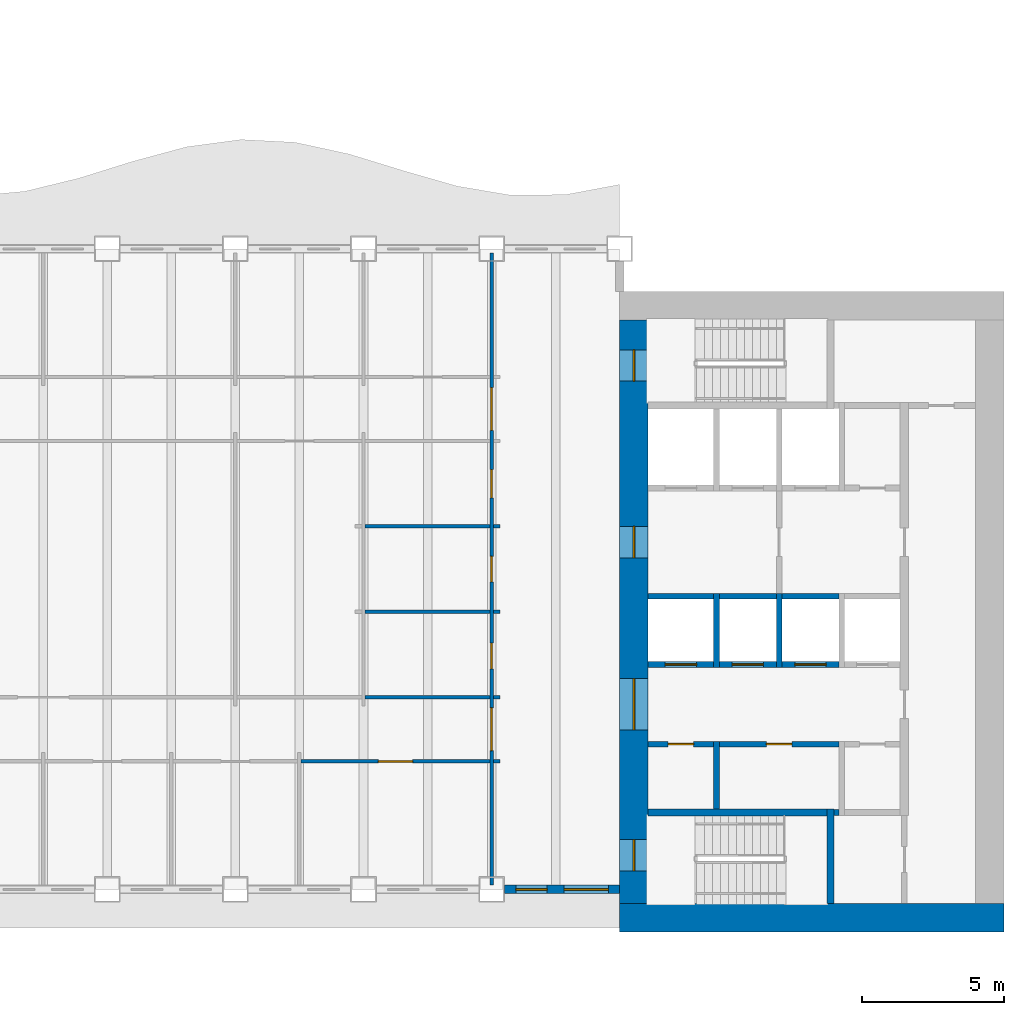
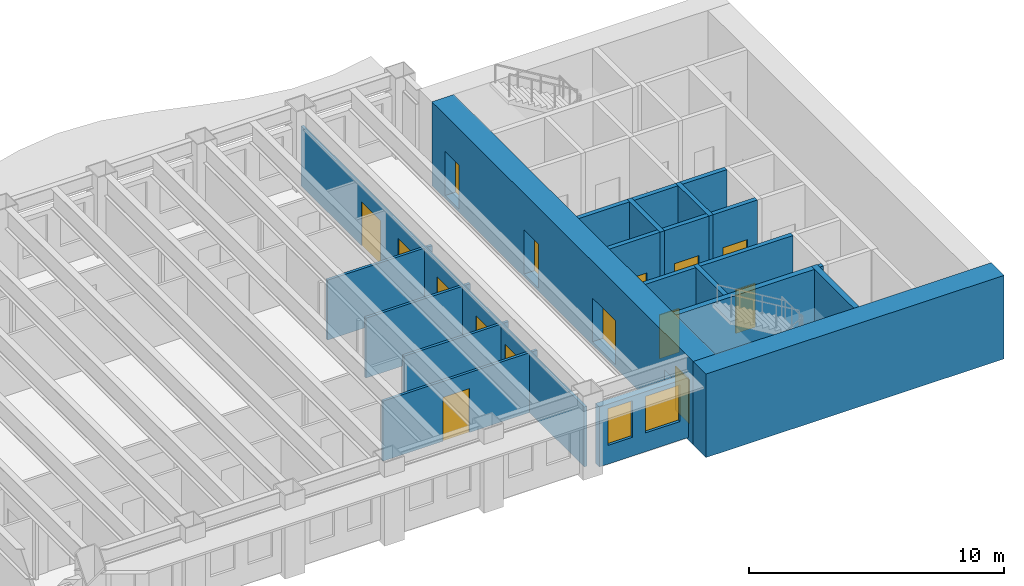
# One storey, part 6 of 16: 26 walls, 15 doors, 2 windows, 17 openings.
"""IFC4 building model written with IfcOpenShell, lengths in metres."""

import ifcopenshell
import ifcopenshell.guid

model = None  # the IFC model being written
_history = None  # IfcOwnerHistory: only IFC2X3 demands one
_inside = {}  # id of a spatial element -> (the spatial element, [elements in it])
_under = {}  # id of a project, library or spatial element -> (it, [spatial elements below it])
_declared = {}  # id of a project -> (the project, [libraries it declares])
_typed = {}  # id of a type object -> (the type object, [elements of that type])
_made_of = {}  # id of a material, layer set ... -> (it, [elements and type objects made of it])


def new_model(schema):
    """Start an empty IFC model of exactly this schema.

    Asked for "IFC4X3", IfcOpenShell would pick the latest addendum, in which some entities
    have other attributes; the version numbers below select the first issue.
    IFC2X3 requires an IfcOwnerHistory on every rooted entity: one is made here for all.
    """
    global model, _history
    if schema == "IFC4X3":
        model = ifcopenshell.file(schema_version=(4, 3, 0, 0))
    else:
        model = ifcopenshell.file(schema=schema)
    _inside.clear()
    _under.clear()
    _declared.clear()
    _typed.clear()
    _made_of.clear()
    _history = None
    if model.schema == "IFC2X3":
        org = make("IfcOrganization", Name="unknown")
        user = make(
            "IfcPersonAndOrganization",
            ThePerson=make("IfcPerson", FamilyName="unknown"),
            TheOrganization=org,
        )
        app = make(
            "IfcApplication",
            ApplicationDeveloper=org,
            Version="unknown",
            ApplicationFullName="unknown",
            ApplicationIdentifier="unknown",
        )
        _history = make(
            "IfcOwnerHistory",
            OwningUser=user,
            OwningApplication=app,
            ChangeAction="ADDED",
            CreationDate=0,
        )
    return model


def make(cls, **values):
    """One entity of the class cls with the attributes given. An attribute that is None is left unset."""
    return model.create_entity(
        cls, **{name: value for name, value in values.items() if value is not None}
    )


def rooted(cls, **values):
    """An entity with a GlobalId (a new one), such as an element, a storey or a relation."""
    return make(cls, GlobalId=ifcopenshell.guid.new(), OwnerHistory=_history, **values)


def si_unit(unit_type, name, prefix=None):
    """IfcSIUnit, for example si_unit("LENGTHUNIT", "METRE", prefix="MILLI")."""
    return make("IfcSIUnit", UnitType=unit_type, Prefix=prefix, Name=name)


def assignment(units):
    """IfcUnitAssignment: the units of a project."""
    return None if units is None else make("IfcUnitAssignment", Units=units)


def point(xyz):
    """IfcCartesianPoint."""
    return None if xyz is None else make("IfcCartesianPoint", Coordinates=xyz)


def direction(xyz):
    """IfcDirection."""
    return None if xyz is None else make("IfcDirection", DirectionRatios=xyz)


def frame(location, z_axis=None, x_axis=None):
    """IfcAxis2Placement3D, a coordinate frame: its origin and axes. An axis left out is left unset."""
    return make(
        "IfcAxis2Placement3D",
        Location=point(location),
        Axis=direction(z_axis),
        RefDirection=direction(x_axis),
    )


def frame_2d(location, x_axis=None):
    """IfcAxis2Placement2D, a coordinate frame in the plane: its origin and x axis."""
    return make(
        "IfcAxis2Placement2D", Location=point(location), RefDirection=direction(x_axis)
    )


def origin():
    """The frame at (0, 0, 0) with its axes left unset."""
    return frame((0.0, 0.0, 0.0))


def place(relative_to, where):
    """IfcLocalPlacement: puts the frame where relative to a parent placement (None: the world)."""
    return make(
        "IfcLocalPlacement", PlacementRelTo=relative_to, RelativePlacement=where
    )


def context(
    kind, dimensions, precision=None, world=None, true_north=None, identifier=None
):
    """IfcGeometricRepresentationContext, for example the 3D "Model" context."""
    return make(
        "IfcGeometricRepresentationContext",
        ContextIdentifier=identifier,
        ContextType=kind,
        CoordinateSpaceDimension=dimensions,
        Precision=precision,
        WorldCoordinateSystem=world,
        TrueNorth=true_north,
    )


def subcontext(parent, identifier, kind, view, scale=None):
    """IfcGeometricRepresentationSubContext, for example "Body" below "Model"."""
    return make(
        "IfcGeometricRepresentationSubContext",
        ContextIdentifier=identifier,
        ContextType=kind,
        ParentContext=parent,
        TargetScale=scale,
        TargetView=view,
    )


def project(units=None, contexts=None):
    """IfcProject with its units and contexts."""
    return rooted(
        "IfcProject",
        Name="project",
        RepresentationContexts=contexts,
        UnitsInContext=assignment(units),
    )


def spatial(cls, under=None, at=None, **own):
    """A site, building, storey or space (cls), placed at a placement, below another one or the project."""
    s = rooted(cls, ObjectPlacement=at, **own)
    if under is not None:
        _under.setdefault(under.id(), (under, []))[1].append(s)
    return s


def profile(cls, at=None, kind="AREA", **sizes):
    """A parametric profile (cls). Its sizes go by their IFC names, for example OverallWidth=200.0."""
    return make(cls, ProfileType=kind, Position=at, **sizes)


def rectangle(**sizes):
    """IfcRectangleProfileDef."""
    return profile("IfcRectangleProfileDef", **sizes)


def extrude(swept, where, along, depth):
    """IfcExtrudedAreaSolid: the profile swept, set in the frame where, extruded along a direction by depth."""
    return make(
        "IfcExtrudedAreaSolid",
        SweptArea=swept,
        Position=where,
        ExtrudedDirection=direction(along),
        Depth=depth,
    )


def shape(context_of_items, identifier, shape_type, items):
    """IfcShapeRepresentation: the items that make up one representation, for example the "Body"."""
    return make(
        "IfcShapeRepresentation",
        ContextOfItems=context_of_items,
        RepresentationIdentifier=identifier,
        RepresentationType=shape_type,
        Items=items,
    )


def material(Name=None, Category=None):
    """IfcMaterial."""
    return make("IfcMaterial", Name=Name, Category=Category)


def layer(
    of_material, thickness, ventilated=None, Name=None, Category=None, Priority=None
):
    """IfcMaterialLayer: one layer of a wall or slab, of a material (None: an air gap)."""
    return make(
        "IfcMaterialLayer",
        Material=of_material,
        LayerThickness=thickness,
        IsVentilated=ventilated,
        Name=Name,
        Category=Category,
        Priority=Priority,
    )


def layer_set(layers, Name=None):
    """IfcMaterialLayerSet."""
    return make("IfcMaterialLayerSet", MaterialLayers=layers, LayerSetName=Name)


def made_of(thing, what):
    """Note that an element or type object is made of a material, layer set ...; save() writes the relation."""
    if what is not None:
        _made_of.setdefault(what.id(), (what, []))[1].append(thing)
    return thing


def type_object(cls, material=None, **own):
    """A type object (cls), such as IfcWallType, which elements share."""
    return made_of(rooted(cls, **own), material)


def element(
    cls,
    number,
    at=None,
    inside=None,
    cuts=None,
    type_object=None,
    material=None,
    context=None,
    identifier="Body",
    shape_type=None,
    held_by="IfcProductDefinitionShape",
    body=None,
    shapes=None,
    **own,
):
    """One element of the class cls, such as IfcWall. Its Tag is "e" and its number.

    at: its placement. inside: the storey or other place that contains it. cuts: it is an
    opening in that element (IfcRelVoidsElement). A single representation is given by context,
    identifier, shape_type and body (its items); several are given by shapes. held_by: the class
    of the entity that holds the representations. save() writes the other relations.
    """
    e = rooted(cls, Tag="e%d" % number, ObjectPlacement=at, **own)
    if body is not None:
        shapes = [shape(context, identifier, shape_type, body)]
    if shapes is not None:
        e.Representation = make(held_by, Representations=shapes)
    if inside is not None:
        _inside.setdefault(inside.id(), (inside, []))[1].append(e)
    if cuts is not None:
        rooted(
            "IfcRelVoidsElement", RelatingBuildingElement=cuts, RelatedOpeningElement=e
        )
    if type_object is not None:
        _typed.setdefault(type_object.id(), (type_object, []))[1].append(e)
    return made_of(e, material)


def fill(opening, filler):
    """IfcRelFillsElement: the door or window that sits in an opening."""
    return rooted(
        "IfcRelFillsElement",
        RelatingOpeningElement=opening,
        RelatedBuildingElement=filler,
    )


def aggregate(whole, parts):
    """IfcRelAggregates: a whole, such as a stair, and the parts it consists of."""
    return rooted("IfcRelAggregates", RelatingObject=whole, RelatedObjects=parts)


def save(model, path):
    """Write the relations noted so far, then the file.

    IfcRelAggregates (storeys below a building ...), IfcRelContainedInSpatialStructure (elements
    in a storey), IfcRelDefinesByType, IfcRelAssociatesMaterial and IfcRelDeclares: one each for
    every whole, place, type object, material and project.
    """
    for whole, parts in _under.values():
        aggregate(whole, parts)
    for where, things in _inside.values():
        rooted(
            "IfcRelContainedInSpatialStructure",
            RelatedElements=things,
            RelatingStructure=where,
        )
    for kind, things in _typed.values():
        rooted("IfcRelDefinesByType", RelatedObjects=things, RelatingType=kind)
    for what, things in _made_of.values():
        rooted("IfcRelAssociatesMaterial", RelatedObjects=things, RelatingMaterial=what)
    for by, libraries in _declared.values():
        rooted("IfcRelDeclares", RelatingContext=by, RelatedDefinitions=libraries)
    model.write(path)


model = new_model("IFC4")

# Units and contexts
model_context = context("Model", 3, precision=1e-05, world=origin(), true_north=direction((0.0, 1.0)))
body_context = subcontext(model_context, "Body", "Model", "MODEL_VIEW")
ifc_project = project(units=[si_unit("LENGTHUNIT", "METRE"), si_unit("AREAUNIT", "SQUARE_METRE"), si_unit("VOLUMEUNIT", "CUBIC_METRE"), si_unit("PLANEANGLEUNIT", "RADIAN"), si_unit("MASSUNIT", "GRAM", prefix="KILO")], contexts=[model_context])

# Site, building, storey
site_placement = place(None, origin())
site = spatial("IfcSite", under=ifc_project, at=site_placement, CompositionType="ELEMENT")
building_placement = place(site_placement, origin())
building = spatial("IfcBuilding", under=site, at=building_placement, Name="Sennacour Bend Tower", CompositionType="ELEMENT")
storey_placement = place(building_placement, frame((0.0, 0.0, 167.0)))
storey = spatial("IfcBuildingStorey", under=building, at=storey_placement, Name="L38", CompositionType="ELEMENT", Elevation=167.0)

# Wall
ifc_material_1 = material(Name="Concrete C60/75", Category="concrete")
ifc_layer_1 = layer(ifc_material_1, 1.0, Name="Concrete C60/75", Category="concrete")
ifc_layer_set_1 = layer_set([ifc_layer_1], Name="Concrete C60/75")
wall_type_1 = type_object("IfcWallType", Name="Core wall 1000 C60/75", PredefinedType="SHEAR", material=ifc_layer_set_1)
wall_1_placement = place(storey_placement, frame((67.5, 0.5, -0.14990234375), z_axis=(0.0, 0.0, 1.0), x_axis=(-1.0, 0.0, 0.0)))
element("IfcWall", 1, at=wall_1_placement, inside=storey, type_object=wall_type_1, Name="Core A wall L38 S", PredefinedType="SHEAR", context=body_context, shape_type="SweptSolid", body=[
    extrude(rectangle(XDim=13.5, YDim=1.0, at=frame_2d((6.75, 0.0))), origin(), (0.0, 0.0, 1.0), 4.0),
])

# Wall, openings, doors
wall_2_placement = place(storey_placement, frame((54.5, 1.0, -0.14990234375), z_axis=(0.0, 0.0, 1.0), x_axis=(0.0, 1.0, 0.0)))
wall_2 = element("IfcWall", 2, at=wall_2_placement, inside=storey, type_object=wall_type_1, Name="Core A wall L38 W", PredefinedType="SHEAR", context=body_context, shape_type="SweptSolid", body=[
    extrude(rectangle(XDim=20.5, YDim=1.0, at=frame_2d((10.25, 0.0))), origin(), (0.0, 0.0, 1.0), 4.0),
])
opening_1_placement = place(wall_2_placement, frame((6.10009765625, 0.0, 0.14990234375)))
opening_1 = element("IfcOpeningElement", 3, at=opening_1_placement, cuts=wall_2, Name="Opening CD", PredefinedType="OPENING", context=body_context, shape_type="SweptSolid", body=[
    extrude(rectangle(XDim=1.800048828125, YDim=2.10009765625, at=frame_2d((0.89990234375, 1.050048828125))), frame((0.0, 0.510009765625, 0.0), z_axis=(0.0, -1.0, 0.0), x_axis=(1.0, 0.0, 0.0)), (0.0, 0.0, 1.0), 1.02001953125),
])
opening_2_placement = place(wall_2_placement, frame((12.14990234375, 0.0, 0.14990234375)))
opening_2 = element("IfcOpeningElement", 4, at=opening_2_placement, cuts=wall_2, Name="Opening FD", PredefinedType="OPENING", context=body_context, shape_type="SweptSolid", body=[
    extrude(rectangle(XDim=1.10009765625, YDim=2.10009765625, at=frame_2d((0.550048828125, 1.050048828125))), frame((0.0, 0.510009765625, 0.0), z_axis=(0.0, -1.0, 0.0), x_axis=(1.0, 0.0, 0.0)), (0.0, 0.0, 1.0), 1.02001953125),
])
opening_3_placement = place(wall_2_placement, frame((1.14990234375, 0.0, 0.14990234375)))
opening_3 = element("IfcOpeningElement", 5, at=opening_3_placement, cuts=wall_2, Name="Opening SD", PredefinedType="OPENING", context=body_context, shape_type="SweptSolid", body=[
    extrude(rectangle(XDim=1.10009765625, YDim=2.10009765625, at=frame_2d((0.550048828125, 1.050048828125))), frame((0.0, 0.510009765625, 0.0), z_axis=(0.0, -1.0, 0.0), x_axis=(1.0, 0.0, 0.0)), (0.0, 0.0, 1.0), 1.02001953125),
])
opening_4_placement = place(wall_2_placement, frame((18.35009765625, 0.0, 0.14990234375)))
opening_4 = element("IfcOpeningElement", 6, at=opening_4_placement, cuts=wall_2, Name="Opening SD", PredefinedType="OPENING", context=body_context, shape_type="SweptSolid", body=[
    extrude(rectangle(XDim=1.10009765625, YDim=2.10009765625, at=frame_2d((0.550048828125, 1.050048828125))), frame((0.0, 0.510009765625, 0.0), z_axis=(0.0, -1.0, 0.0), x_axis=(1.0, 0.0, 0.0)), (0.0, 0.0, 1.0), 1.02001953125),
])
ifc_material_2 = material(Name="Painted steel", Category="steel")
door_type_1 = type_object("IfcDoorType", Name="DR-FFL-1100", OperationType="NOTDEFINED", PredefinedType="DOOR", material=ifc_material_2)
door_1_placement = place(opening_2_placement, origin())
door_1 = element("IfcDoor", 7, at=door_1_placement, inside=storey, type_object=door_type_1, Name="Door", OperationType="SINGLE_SWING_RIGHT", OverallHeight=2.10009765625, OverallWidth=1.10009765625, PredefinedType="DOOR", context=body_context, shape_type="SweptSolid", body=[
    extrude(rectangle(XDim=1.10009765625, YDim=2.10009765625, at=frame_2d((0.550048828125, 1.050048828125))), frame((0.0, 0.02490234375, 0.0), z_axis=(0.0, -1.0, 0.0), x_axis=(1.0, 0.0, 0.0)), (0.0, 0.0, 1.0), 0.050048828125),
])
fill(opening_2, door_1)
door_type_2 = type_object("IfcDoorType", Name="DR-LOBBY-1800", OperationType="NOTDEFINED", PredefinedType="DOOR", material=ifc_material_2)
door_2_placement = place(opening_1_placement, origin())
door_2 = element("IfcDoor", 8, at=door_2_placement, inside=storey, type_object=door_type_2, Name="Door", OperationType="DOUBLE_DOOR_SINGLE_SWING", OverallHeight=2.10009765625, OverallWidth=1.800048828125, PredefinedType="DOOR", context=body_context, shape_type="SweptSolid", body=[
    extrude(rectangle(XDim=1.800048828125, YDim=2.10009765625, at=frame_2d((0.89990234375, 1.050048828125))), frame((0.0, 0.02490234375, 0.0), z_axis=(0.0, -1.0, 0.0), x_axis=(1.0, 0.0, 0.0)), (0.0, 0.0, 1.0), 0.050048828125),
])
fill(opening_1, door_2)
door_type_3 = type_object("IfcDoorType", Name="DR-STAIR-1100", OperationType="NOTDEFINED", PredefinedType="DOOR", material=ifc_material_2)
door_3_placement = place(opening_3_placement, origin())
door_3 = element("IfcDoor", 9, at=door_3_placement, inside=storey, type_object=door_type_3, Name="Door", OperationType="SINGLE_SWING_LEFT", OverallHeight=2.10009765625, OverallWidth=1.10009765625, PredefinedType="DOOR", context=body_context, shape_type="SweptSolid", body=[
    extrude(rectangle(XDim=1.10009765625, YDim=2.10009765625, at=frame_2d((0.550048828125, 1.050048828125))), frame((0.0, 0.02490234375, 0.0), z_axis=(0.0, -1.0, 0.0), x_axis=(1.0, 0.0, 0.0)), (0.0, 0.0, 1.0), 0.050048828125),
])
fill(opening_3, door_3)
door_4_placement = place(opening_4_placement, origin())
door_4 = element("IfcDoor", 10, at=door_4_placement, inside=storey, type_object=door_type_3, Name="Door", OperationType="SINGLE_SWING_RIGHT", OverallHeight=2.10009765625, OverallWidth=1.10009765625, PredefinedType="DOOR", context=body_context, shape_type="SweptSolid", body=[
    extrude(rectangle(XDim=1.10009765625, YDim=2.10009765625, at=frame_2d((0.550048828125, 1.050048828125))), frame((0.0, 0.02490234375, 0.0), z_axis=(0.0, -1.0, 0.0), x_axis=(1.0, 0.0, 0.0)), (0.0, 0.0, 1.0), 0.050048828125),
])
fill(opening_4, door_4)

# Wall, opening, door
ifc_material_3 = material(Name="Plasterboard partition on steel studs", Category="steel")
ifc_layer_2 = layer(ifc_material_3, 0.1201171875, Name="Plasterboard partition on steel studs", Category="steel")
ifc_layer_set_2 = layer_set([ifc_layer_2], Name="Plasterboard partition on steel studs")
wall_type_2 = type_object("IfcWallType", Name="Partition 120", PredefinedType="PARTITIONING", material=ifc_layer_set_2)
wall_3_placement = place(storey_placement, frame((42.81005859375, 6.0, 0.0), z_axis=(0.0, 0.0, 1.0), x_axis=(1.0, 0.0, 0.0)))
wall_3 = element("IfcWall", 11, at=wall_3_placement, inside=storey, type_object=wall_type_2, Name="P-L38-W058ag", PredefinedType="PARTITIONING", context=body_context, shape_type="SweptSolid", body=[
    extrude(rectangle(XDim=6.6298828125, YDim=0.1201171875, at=frame_2d((3.31494140625, 0.0))), origin(), (0.0, 0.0, 1.0), 2.8701171875),
])
opening_5_placement = place(wall_3_placement, frame((2.71484375, 0.0, 0.0)))
opening_5 = element("IfcOpeningElement", 12, at=opening_5_placement, cuts=wall_3, Name="Opening OD", PredefinedType="OPENING", context=body_context, shape_type="SweptSolid", body=[
    extrude(rectangle(XDim=1.199951171875, YDim=2.10009765625, at=frame_2d((0.60009765625, 1.050048828125))), frame((0.0, 0.070068359375, 0.0), z_axis=(0.0, -1.0, 0.0), x_axis=(1.0, 0.0, 0.0)), (0.0, 0.0, 1.0), 0.14013671875),
])
ifc_material_4 = material(Name="Timber", Category="wood")
door_type_4 = type_object("IfcDoorType", Name="DR-OFFICE-1200", OperationType="NOTDEFINED", PredefinedType="DOOR", material=ifc_material_4)
door_5_placement = place(opening_5_placement, origin())
door_5 = element("IfcDoor", 13, at=door_5_placement, inside=storey, type_object=door_type_4, Name="Door", OperationType="SINGLE_SWING_LEFT", OverallHeight=2.10009765625, OverallWidth=1.199951171875, PredefinedType="DOOR", context=body_context, shape_type="SweptSolid", body=[
    extrude(rectangle(XDim=1.199951171875, YDim=2.10009765625, at=frame_2d((0.60009765625, 1.050048828125))), frame((0.0, 0.02490234375, 0.0), z_axis=(0.0, -1.0, 0.0), x_axis=(1.0, 0.0, 0.0)), (0.0, 0.0, 1.0), 0.050048828125),
])
fill(opening_5, door_5)

# Walls
wall_4_placement = place(storey_placement, frame((49.56005859375, 6.0, 0.0), z_axis=(0.0, 0.0, 1.0), x_axis=(1.0, 0.0, 0.0)))
element("IfcWall", 14, at=wall_4_placement, inside=storey, type_object=wall_type_2, Name="P-L38-W058ah", PredefinedType="PARTITIONING", context=body_context, shape_type="SweptSolid", body=[
    extrude(rectangle(XDim=0.239990234375, YDim=0.1201171875, at=frame_2d((0.1201171875, 0.0))), origin(), (0.0, 0.0, 1.0), 2.8701171875),
])
wall_5_placement = place(storey_placement, frame((45.06005859375, 8.25, 0.0), z_axis=(0.0, 0.0, 1.0), x_axis=(1.0, 0.0, 0.0)))
element("IfcWall", 15, at=wall_5_placement, inside=storey, type_object=wall_type_2, Name="P-L38-W060ad", PredefinedType="PARTITIONING", context=body_context, shape_type="SweptSolid", body=[
    extrude(rectangle(XDim=4.3798828125, YDim=0.1201171875, at=frame_2d((2.18994140625, 0.0))), origin(), (0.0, 0.0, 1.0), 2.8701171875),
])
wall_6_placement = place(storey_placement, frame((49.56005859375, 8.25, 0.0), z_axis=(0.0, 0.0, 1.0), x_axis=(1.0, 0.0, 0.0)))
element("IfcWall", 16, at=wall_6_placement, inside=storey, type_object=wall_type_2, Name="P-L38-W060ae", PredefinedType="PARTITIONING", context=body_context, shape_type="SweptSolid", body=[
    extrude(rectangle(XDim=0.239990234375, YDim=0.1201171875, at=frame_2d((0.1201171875, 0.0))), origin(), (0.0, 0.0, 1.0), 2.8701171875),
])
wall_7_placement = place(storey_placement, frame((45.06005859375, 11.25, 0.0), z_axis=(0.0, 0.0, 1.0), x_axis=(1.0, 0.0, 0.0)))
element("IfcWall", 17, at=wall_7_placement, inside=storey, type_object=wall_type_2, Name="P-L38-W064ab", PredefinedType="PARTITIONING", context=body_context, shape_type="SweptSolid", body=[
    extrude(rectangle(XDim=4.3798828125, YDim=0.1201171875, at=frame_2d((2.18994140625, 0.0))), origin(), (0.0, 0.0, 1.0), 2.8701171875),
])
wall_8_placement = place(storey_placement, frame((49.56005859375, 11.25, 0.0), z_axis=(0.0, 0.0, 1.0), x_axis=(1.0, 0.0, 0.0)))
element("IfcWall", 18, at=wall_8_placement, inside=storey, type_object=wall_type_2, Name="P-L38-W064ac", PredefinedType="PARTITIONING", context=body_context, shape_type="SweptSolid", body=[
    extrude(rectangle(XDim=0.239990234375, YDim=0.1201171875, at=frame_2d((0.1201171875, 0.0))), origin(), (0.0, 0.0, 1.0), 2.8701171875),
])
wall_9_placement = place(storey_placement, frame((45.06005859375, 14.25, 0.0), z_axis=(0.0, 0.0, 1.0), x_axis=(1.0, 0.0, 0.0)))
element("IfcWall", 19, at=wall_9_placement, inside=storey, type_object=wall_type_2, Name="P-L38-W066ab", PredefinedType="PARTITIONING", context=body_context, shape_type="SweptSolid", body=[
    extrude(rectangle(XDim=4.3798828125, YDim=0.1201171875, at=frame_2d((2.18994140625, 0.0))), origin(), (0.0, 0.0, 1.0), 2.8701171875),
])
wall_10_placement = place(storey_placement, frame((49.56005859375, 14.25, 0.0), z_axis=(0.0, 0.0, 1.0), x_axis=(1.0, 0.0, 0.0)))
element("IfcWall", 20, at=wall_10_placement, inside=storey, type_object=wall_type_2, Name="P-L38-W066ac", PredefinedType="PARTITIONING", context=body_context, shape_type="SweptSolid", body=[
    extrude(rectangle(XDim=0.239990234375, YDim=0.1201171875, at=frame_2d((0.1201171875, 0.0))), origin(), (0.0, 0.0, 1.0), 2.8701171875),
])

# Wall, openings, doors
ifc_layer_3 = layer(ifc_material_3, 0.1201171875, Name="Plasterboard partition on steel studs", Category="steel")
ifc_layer_set_3 = layer_set([ifc_layer_3], Name="Plasterboard partition on steel studs")
wall_type_3 = type_object("IfcWallType", Name="Partition 120 EI 30", PredefinedType="PARTITIONING", material=ifc_layer_set_3)
wall_11_placement = place(storey_placement, frame((49.5, 1.64990234375, 0.0), z_axis=(0.0, 0.0, 1.0), x_axis=(0.0, 1.0, 0.0)))
wall_11 = element("IfcWall", 21, at=wall_11_placement, inside=storey, type_object=wall_type_3, Name="P-L38-W036a", PredefinedType="PARTITIONING", context=body_context, shape_type="SweptSolid", body=[
    extrude(rectangle(XDim=22.2001953125, YDim=0.1201171875, at=frame_2d((11.10009765625, 0.0))), origin(), (0.0, 0.0, 1.0), 2.8701171875),
])
opening_6_placement = place(wall_11_placement, frame((4.72509765625, 0.0, 0.0)))
opening_6 = element("IfcOpeningElement", 22, at=opening_6_placement, cuts=wall_11, Name="Opening KD", PredefinedType="OPENING", context=body_context, shape_type="SweptSolid", body=[
    extrude(rectangle(XDim=1.5, YDim=2.10009765625, at=frame_2d((0.75, 1.050048828125))), frame((0.0, 0.070068359375, 0.0), z_axis=(0.0, -1.0, 0.0), x_axis=(1.0, 0.0, 0.0)), (0.0, 0.0, 1.0), 0.14013671875),
])
opening_7_placement = place(wall_11_placement, frame((15.97509765625, 0.0, 0.0)))
opening_7 = element("IfcOpeningElement", 23, at=opening_7_placement, cuts=wall_11, Name="Opening KD", PredefinedType="OPENING", context=body_context, shape_type="SweptSolid", body=[
    extrude(rectangle(XDim=1.5, YDim=2.10009765625, at=frame_2d((0.75, 1.050048828125))), frame((0.0, 0.070068359375, 0.0), z_axis=(0.0, -1.0, 0.0), x_axis=(1.0, 0.0, 0.0)), (0.0, 0.0, 1.0), 0.14013671875),
])
opening_8_placement = place(wall_11_placement, frame((7.60009765625, 0.0, 0.0)))
opening_8 = element("IfcOpeningElement", 24, at=opening_8_placement, cuts=wall_11, Name="Opening WD", PredefinedType="OPENING", context=body_context, shape_type="SweptSolid", body=[
    extrude(rectangle(XDim=0.89990234375, YDim=2.10009765625, at=frame_2d((0.449951171875, 1.050048828125))), frame((0.0, 0.070068359375, 0.0), z_axis=(0.0, -1.0, 0.0), x_axis=(1.0, 0.0, 0.0)), (0.0, 0.0, 1.0), 0.14013671875),
])
opening_9_placement = place(wall_11_placement, frame((10.650146484375, 0.0, 0.0)))
opening_9 = element("IfcOpeningElement", 25, at=opening_9_placement, cuts=wall_11, Name="Opening WD", PredefinedType="OPENING", context=body_context, shape_type="SweptSolid", body=[
    extrude(rectangle(XDim=0.89990234375, YDim=2.10009765625, at=frame_2d((0.449951171875, 1.050048828125))), frame((0.0, 0.070068359375, 0.0), z_axis=(0.0, -1.0, 0.0), x_axis=(1.0, 0.0, 0.0)), (0.0, 0.0, 1.0), 0.14013671875),
])
opening_10_placement = place(wall_11_placement, frame((13.60009765625, 0.0, 0.0)))
opening_10 = element("IfcOpeningElement", 26, at=opening_10_placement, cuts=wall_11, Name="Opening AD", PredefinedType="OPENING", context=body_context, shape_type="SweptSolid", body=[
    extrude(rectangle(XDim=1.0, YDim=2.10009765625, at=frame_2d((0.5, 1.050048828125))), frame((0.0, 0.070068359375, 0.0), z_axis=(0.0, -1.0, 0.0), x_axis=(1.0, 0.0, 0.0)), (0.0, 0.0, 1.0), 0.14013671875),
])
door_type_5 = type_object("IfcDoorType", Name="DR-ACC-WC-1000", OperationType="NOTDEFINED", PredefinedType="DOOR", material=ifc_material_4)
door_6_placement = place(opening_10_placement, origin())
door_6 = element("IfcDoor", 27, at=door_6_placement, inside=storey, type_object=door_type_5, Name="Door", OperationType="SINGLE_SWING_RIGHT", OverallHeight=2.10009765625, OverallWidth=1.0, PredefinedType="DOOR", context=body_context, shape_type="SweptSolid", body=[
    extrude(rectangle(XDim=1.0, YDim=2.10009765625, at=frame_2d((0.5, 1.050048828125))), frame((0.0, 0.02490234375, 0.0), z_axis=(0.0, -1.0, 0.0), x_axis=(1.0, 0.0, 0.0)), (0.0, 0.0, 1.0), 0.050048828125),
])
fill(opening_10, door_6)
door_type_6 = type_object("IfcDoorType", Name="DR-CORRIDOR-1500", OperationType="NOTDEFINED", PredefinedType="DOOR", material=ifc_material_2)
door_7_placement = place(opening_6_placement, origin())
door_7 = element("IfcDoor", 28, at=door_7_placement, inside=storey, type_object=door_type_6, Name="Door", OperationType="SINGLE_SWING_LEFT", OverallHeight=2.10009765625, OverallWidth=1.5, PredefinedType="DOOR", context=body_context, shape_type="SweptSolid", body=[
    extrude(rectangle(XDim=1.5, YDim=2.10009765625, at=frame_2d((0.75, 1.050048828125))), frame((0.0, 0.02490234375, 0.0), z_axis=(0.0, -1.0, 0.0), x_axis=(1.0, 0.0, 0.0)), (0.0, 0.0, 1.0), 0.050048828125),
])
fill(opening_6, door_7)
door_8_placement = place(opening_7_placement, origin())
door_8 = element("IfcDoor", 29, at=door_8_placement, inside=storey, type_object=door_type_6, Name="Door", OperationType="SINGLE_SWING_RIGHT", OverallHeight=2.10009765625, OverallWidth=1.5, PredefinedType="DOOR", context=body_context, shape_type="SweptSolid", body=[
    extrude(rectangle(XDim=1.5, YDim=2.10009765625, at=frame_2d((0.75, 1.050048828125))), frame((0.0, 0.02490234375, 0.0), z_axis=(0.0, -1.0, 0.0), x_axis=(1.0, 0.0, 0.0)), (0.0, 0.0, 1.0), 0.050048828125),
])
fill(opening_7, door_8)
door_type_7 = type_object("IfcDoorType", Name="DR-WC-900", OperationType="NOTDEFINED", PredefinedType="DOOR", material=ifc_material_4)
door_9_placement = place(opening_8_placement, origin())
door_9 = element("IfcDoor", 30, at=door_9_placement, inside=storey, type_object=door_type_7, Name="Door", OperationType="SINGLE_SWING_LEFT", OverallHeight=2.10009765625, OverallWidth=0.89990234375, PredefinedType="DOOR", context=body_context, shape_type="SweptSolid", body=[
    extrude(rectangle(XDim=0.89990234375, YDim=2.10009765625, at=frame_2d((0.449951171875, 1.050048828125))), frame((0.0, 0.02490234375, 0.0), z_axis=(0.0, -1.0, 0.0), x_axis=(1.0, 0.0, 0.0)), (0.0, 0.0, 1.0), 0.050048828125),
])
fill(opening_8, door_9)
door_10_placement = place(opening_9_placement, origin())
door_10 = element("IfcDoor", 31, at=door_10_placement, inside=storey, type_object=door_type_7, Name="Door", OperationType="SINGLE_SWING_RIGHT", OverallHeight=2.10009765625, OverallWidth=0.89990234375, PredefinedType="DOOR", context=body_context, shape_type="SweptSolid", body=[
    extrude(rectangle(XDim=0.89990234375, YDim=2.10009765625, at=frame_2d((0.449951171875, 1.050048828125))), frame((0.0, 0.02490234375, 0.0), z_axis=(0.0, -1.0, 0.0), x_axis=(1.0, 0.0, 0.0)), (0.0, 0.0, 1.0), 0.050048828125),
])
fill(opening_9, door_10)

# Walls
ifc_material_5 = material(Name="Fire-rated plasterboard partition on steel studs", Category="steel")
ifc_layer_4 = layer(ifc_material_5, 0.199951171875, Name="Fire-rated plasterboard partition on steel studs", Category="steel")
ifc_layer_set_4 = layer_set([ifc_layer_4], Name="Fire-rated plasterboard partition on steel studs")
wall_type_4 = type_object("IfcWallType", Name="Rated partition 200", PredefinedType="PARTITIONING", material=ifc_layer_set_4)
wall_12_placement = place(storey_placement, frame((57.39990234375, 4.324951171875, 0.0), z_axis=(0.0, 0.0, 1.0), x_axis=(0.0, 1.0, 0.0)))
element("IfcWall", 32, at=wall_12_placement, inside=storey, type_object=wall_type_4, Name="P-L38-W038", PredefinedType="PARTITIONING", context=body_context, shape_type="SweptSolid", body=[
    extrude(rectangle(XDim=2.375, YDim=0.199951171875, at=frame_2d((1.1875, 0.0))), origin(), (0.0, 0.0, 1.0), 3.85009765625),
])
wall_13_placement = place(storey_placement, frame((61.52490234375, 4.199951171875, 0.0), z_axis=(0.0, 0.0, 1.0), x_axis=(1.0, 0.0, 0.0)))
element("IfcWall", 33, at=wall_13_placement, inside=storey, type_object=wall_type_4, Name="P-L38-W057a", PredefinedType="PARTITIONING", context=body_context, shape_type="SweptSolid", body=[
    extrude(rectangle(XDim=0.175048828125, YDim=0.199951171875, at=frame_2d((0.08740234375, 0.0))), origin(), (0.0, 0.0, 1.0), 3.85009765625),
])

# Wall, opening, door
wall_14_placement = place(storey_placement, frame((55.0, 6.60009765625, 0.0), z_axis=(0.0, 0.0, 1.0), x_axis=(1.0, 0.0, 0.0)))
wall_14 = element("IfcWall", 34, at=wall_14_placement, inside=storey, type_object=wall_type_4, Name="P-L38-W059a", PredefinedType="PARTITIONING", context=body_context, shape_type="SweptSolid", body=[
    extrude(rectangle(XDim=2.300048828125, YDim=0.199951171875, at=frame_2d((1.14990234375, 0.0))), origin(), (0.0, 0.0, 1.0), 3.85009765625),
])
opening_11_placement = place(wall_14_placement, frame((0.699951171875, 0.0, 0.0)))
opening_11 = element("IfcOpeningElement", 35, at=opening_11_placement, cuts=wall_14, Name="Opening SV", PredefinedType="OPENING", context=body_context, shape_type="SweptSolid", body=[
    extrude(rectangle(XDim=0.89990234375, YDim=2.10009765625, at=frame_2d((0.449951171875, 1.050048828125))), frame((0.0, 0.10986328125, 0.0), z_axis=(0.0, -1.0, 0.0), x_axis=(1.0, 0.0, 0.0)), (0.0, 0.0, 1.0), 0.219970703125),
])
door_type_8 = type_object("IfcDoorType", Name="DR-SERVICE-900", OperationType="NOTDEFINED", PredefinedType="DOOR", material=ifc_material_2)
door_11_placement = place(opening_11_placement, origin())
door_11 = element("IfcDoor", 36, at=door_11_placement, inside=storey, type_object=door_type_8, Name="Door", OperationType="SINGLE_SWING_LEFT", OverallHeight=2.10009765625, OverallWidth=0.89990234375, PredefinedType="DOOR", context=body_context, shape_type="SweptSolid", body=[
    extrude(rectangle(XDim=0.89990234375, YDim=2.10009765625, at=frame_2d((0.449951171875, 1.050048828125))), frame((0.0, 0.02490234375, 0.0), z_axis=(0.0, -1.0, 0.0), x_axis=(1.0, 0.0, 0.0)), (0.0, 0.0, 1.0), 0.050048828125),
])
fill(opening_11, door_11)

wall_15_placement = place(storey_placement, frame((57.5, 6.60009765625, 0.0), z_axis=(0.0, 0.0, 1.0), x_axis=(1.0, 0.0, 0.0)))
wall_15 = element("IfcWall", 37, at=wall_15_placement, inside=storey, type_object=wall_type_4, Name="P-L38-W059b", PredefinedType="PARTITIONING", context=body_context, shape_type="SweptSolid", body=[
    extrude(rectangle(XDim=4.199951171875, YDim=0.199951171875, at=frame_2d((2.10009765625, 0.0))), origin(), (0.0, 0.0, 1.0), 3.85009765625),
])
opening_12_placement = place(wall_15_placement, frame((1.64990234375, 0.0, 0.0)))
opening_12 = element("IfcOpeningElement", 38, at=opening_12_placement, cuts=wall_15, Name="Opening WD", PredefinedType="OPENING", context=body_context, shape_type="SweptSolid", body=[
    extrude(rectangle(XDim=0.89990234375, YDim=2.10009765625, at=frame_2d((0.449951171875, 1.050048828125))), frame((0.0, 0.10986328125, 0.0), z_axis=(0.0, -1.0, 0.0), x_axis=(1.0, 0.0, 0.0)), (0.0, 0.0, 1.0), 0.219970703125),
])
door_12_placement = place(opening_12_placement, origin())
door_12 = element("IfcDoor", 39, at=door_12_placement, inside=storey, type_object=door_type_7, Name="Door", OperationType="SINGLE_SWING_RIGHT", OverallHeight=2.10009765625, OverallWidth=0.89990234375, PredefinedType="DOOR", context=body_context, shape_type="SweptSolid", body=[
    extrude(rectangle(XDim=0.89990234375, YDim=2.10009765625, at=frame_2d((0.449951171875, 1.050048828125))), frame((0.0, 0.02490234375, 0.0), z_axis=(0.0, -1.0, 0.0), x_axis=(1.0, 0.0, 0.0)), (0.0, 0.0, 1.0), 0.050048828125),
])
fill(opening_12, door_12)

# Wall, openings, windows
ifc_material_6 = material(Name="Warm limestone cladding", Category="masonry")
ifc_layer_5 = layer(ifc_material_6, 0.050048828125, Name="Warm limestone cladding", Category="masonry")
ifc_material_7 = material(Name="Precast concrete C40/50", Category="concrete")
ifc_layer_6 = layer(ifc_material_7, 0.25, Name="Precast concrete C40/50", Category="concrete")
ifc_layer_set_5 = layer_set([ifc_layer_5, ifc_layer_6], Name="Precast concrete C40/50 with limestone cladding")
wall_type_5 = type_object("IfcWallType", Name="STONE-CLAD PRECAST SPANDREL 300", PredefinedType="STANDARD", material=ifc_layer_set_5)
wall_16_placement = place(storey_placement, frame((49.949951171875, 1.5, 0.0), z_axis=(0.0, 0.0, 1.0), x_axis=(1.0, 0.0, 0.0)))
wall_16 = element("IfcWall", 40, at=wall_16_placement, inside=storey, type_object=wall_type_5, Name="Stone spandrel and pier wall L38 02.06", PredefinedType="STANDARD", context=body_context, shape_type="SweptSolid", body=[
    extrude(rectangle(XDim=4.050048828125, YDim=0.300048828125, at=frame_2d((2.02490234375, 0.0))), origin(), (0.0, 0.0, 1.0), 2.8701171875),
])
opening_13_placement = place(wall_16_placement, frame((0.39990234375, 0.0, 0.89990234375)))
opening_13 = element("IfcOpeningElement", 41, at=opening_13_placement, cuts=wall_16, Name="Opening W17", PredefinedType="OPENING", context=body_context, shape_type="SweptSolid", body=[
    extrude(rectangle(XDim=1.10009765625, YDim=1.75, at=frame_2d((0.550048828125, 0.875))), frame((0.0, 0.16015625, 0.0), z_axis=(0.0, -1.0, 0.0), x_axis=(1.0, 0.0, 0.0)), (0.0, 0.0, 1.0), 0.320068359375),
])
opening_14_placement = place(wall_16_placement, frame((2.10009765625, 0.0, 0.89990234375)))
opening_14 = element("IfcOpeningElement", 42, at=opening_14_placement, cuts=wall_16, Name="Opening W12", PredefinedType="OPENING", context=body_context, shape_type="SweptSolid", body=[
    extrude(rectangle(XDim=1.550048828125, YDim=1.75, at=frame_2d((0.77490234375, 0.875))), frame((0.0, 0.16015625, 0.0), z_axis=(0.0, -1.0, 0.0), x_axis=(1.0, 0.0, 0.0)), (0.0, 0.0, 1.0), 0.320068359375),
])
ifc_material_8 = material(Name="Clear low-emissivity glass", Category="glass")
window_type_1 = type_object("IfcWindowType", Name="WIN-RIBBON-1100x1750", PartitioningType="SINGLE_PANEL", PredefinedType="WINDOW", material=ifc_material_8)
window_1_placement = place(opening_13_placement, origin())
window_1 = element("IfcWindow", 43, at=window_1_placement, inside=storey, type_object=window_type_1, Name="Ribbon window L38 02.06.0", OverallHeight=1.75, OverallWidth=1.10009765625, PartitioningType="SINGLE_PANEL", PredefinedType="WINDOW", context=body_context, shape_type="SweptSolid", body=[
    extrude(rectangle(XDim=1.10009765625, YDim=1.75, at=frame_2d((0.550048828125, 0.875))), frame((0.0, 0.030029296875, 0.0), z_axis=(0.0, -1.0, 0.0), x_axis=(1.0, 0.0, 0.0)), (0.0, 0.0, 1.0), 0.06005859375),
])
fill(opening_13, window_1)
window_type_2 = type_object("IfcWindowType", Name="WIN-RIBBON-1550x1750", PartitioningType="SINGLE_PANEL", PredefinedType="WINDOW", material=ifc_material_8)
window_2_placement = place(opening_14_placement, origin())
window_2 = element("IfcWindow", 44, at=window_2_placement, inside=storey, type_object=window_type_2, Name="Ribbon window L38 02.06.1", OverallHeight=1.75, OverallWidth=1.550048828125, PartitioningType="SINGLE_PANEL", PredefinedType="WINDOW", context=body_context, shape_type="SweptSolid", body=[
    extrude(rectangle(XDim=1.550048828125, YDim=1.75, at=frame_2d((0.77490234375, 0.875))), frame((0.0, 0.030029296875, 0.0), z_axis=(0.0, -1.0, 0.0), x_axis=(1.0, 0.0, 0.0)), (0.0, 0.0, 1.0), 0.06005859375),
])
fill(opening_14, window_2)

# Walls
ifc_material_9 = material(Name="Concrete C50/60", Category="concrete")
ifc_layer_7 = layer(ifc_material_9, 0.199951171875, Name="Concrete C50/60", Category="concrete")
ifc_layer_set_6 = layer_set([ifc_layer_7], Name="Concrete C50/60")
wall_type_6 = type_object("IfcWallType", Name="Shaft wall 200", PredefinedType="SOLIDWALL", material=ifc_layer_set_6)
for number, where, z_axis, x_axis, name in (
    (45, (57.39990234375, 9.300048828125, 0.0), (0.0, 0.0, 1.0), (0.0, 1.0, 0.0), "P-L38-W039"),
    (46, (59.60009765625, 9.300048828125, 0.0), (0.0, 0.0, 1.0), (0.0, 1.0, 0.0), "P-L38-W041"),
):
    element("IfcWall", number, at=place(storey_placement, frame(where, z_axis=z_axis, x_axis=x_axis)), inside=storey, type_object=wall_type_6, Name=name, PredefinedType="SOLIDWALL", context=body_context, shape_type="SweptSolid", body=[
        extrude(rectangle(XDim=2.599853515625, YDim=0.199951171875, at=frame_2d((1.2998046875, 0.0))), origin(), (0.0, 0.0, 1.0), 3.85009765625),
    ])

# Wall, opening, door
wall_17_placement = place(storey_placement, frame((55.0, 9.39990234375, 0.0), z_axis=(0.0, 0.0, 1.0), x_axis=(1.0, 0.0, 0.0)))
wall_17 = element("IfcWall", 47, at=wall_17_placement, inside=storey, type_object=wall_type_6, Name="P-L38-W062a", PredefinedType="SOLIDWALL", context=body_context, shape_type="SweptSolid", body=[
    extrude(rectangle(XDim=2.300048828125, YDim=0.199951171875, at=frame_2d((1.14990234375, 0.0))), origin(), (0.0, 0.0, 1.0), 3.85009765625),
])
opening_15_placement = place(wall_17_placement, frame((0.60009765625, 0.0, 0.011962890625)))
opening_15 = element("IfcOpeningElement", 48, at=opening_15_placement, cuts=wall_17, Name="Opening LD", PredefinedType="OPENING", context=body_context, shape_type="SweptSolid", body=[
    extrude(rectangle(XDim=1.10009765625, YDim=2.10009765625, at=frame_2d((0.550048828125, 1.050048828125))), frame((0.0, 0.10986328125, 0.0), z_axis=(0.0, -1.0, 0.0), x_axis=(1.0, 0.0, 0.0)), (0.0, 0.0, 1.0), 0.219970703125),
])
ifc_material_10 = material(Name="Stainless steel", Category="steel")
door_type_9 = type_object("IfcDoorType", Name="DR-LANDING-1100", OperationType="NOTDEFINED", PredefinedType="DOOR", material=ifc_material_10)
door_13_placement = place(opening_15_placement, origin())
door_13 = element("IfcDoor", 49, at=door_13_placement, inside=storey, type_object=door_type_9, Name="Lift landing door HA1", OperationType="SLIDING_TO_LEFT", OverallHeight=2.10009765625, OverallWidth=1.10009765625, PredefinedType="DOOR", context=body_context, shape_type="SweptSolid", body=[
    extrude(rectangle(XDim=1.10009765625, YDim=2.10009765625, at=frame_2d((0.550048828125, 1.050048828125))), frame((0.0, 0.02490234375, 0.0), z_axis=(0.0, -1.0, 0.0), x_axis=(1.0, 0.0, 0.0)), (0.0, 0.0, 1.0), 0.050048828125),
])
fill(opening_15, door_13)

wall_18_placement = place(storey_placement, frame((57.5, 9.39990234375, 0.0), z_axis=(0.0, 0.0, 1.0), x_axis=(1.0, 0.0, 0.0)))
wall_18 = element("IfcWall", 50, at=wall_18_placement, inside=storey, type_object=wall_type_6, Name="P-L38-W062b", PredefinedType="SOLIDWALL", context=body_context, shape_type="SweptSolid", body=[
    extrude(rectangle(XDim=2.0, YDim=0.199951171875, at=frame_2d((1.0, 0.0))), origin(), (0.0, 0.0, 1.0), 3.85009765625),
])
opening_16_placement = place(wall_18_placement, frame((0.449951171875, 0.0, 0.011962890625)))
opening_16 = element("IfcOpeningElement", 51, at=opening_16_placement, cuts=wall_18, Name="Opening LD", PredefinedType="OPENING", context=body_context, shape_type="SweptSolid", body=[
    extrude(rectangle(XDim=1.10009765625, YDim=2.10009765625, at=frame_2d((0.550048828125, 1.050048828125))), frame((0.0, 0.10986328125, 0.0), z_axis=(0.0, -1.0, 0.0), x_axis=(1.0, 0.0, 0.0)), (0.0, 0.0, 1.0), 0.219970703125),
])
door_14_placement = place(opening_16_placement, origin())
door_14 = element("IfcDoor", 52, at=door_14_placement, inside=storey, type_object=door_type_9, Name="Lift landing door HA2", OperationType="SLIDING_TO_RIGHT", OverallHeight=2.10009765625, OverallWidth=1.10009765625, PredefinedType="DOOR", context=body_context, shape_type="SweptSolid", body=[
    extrude(rectangle(XDim=1.10009765625, YDim=2.10009765625, at=frame_2d((0.550048828125, 1.050048828125))), frame((0.0, 0.02490234375, 0.0), z_axis=(0.0, -1.0, 0.0), x_axis=(1.0, 0.0, 0.0)), (0.0, 0.0, 1.0), 0.050048828125),
])
fill(opening_16, door_14)

wall_19_placement = place(storey_placement, frame((59.699951171875, 9.39990234375, 0.0), z_axis=(0.0, 0.0, 1.0), x_axis=(1.0, 0.0, 0.0)))
wall_19 = element("IfcWall", 53, at=wall_19_placement, inside=storey, type_object=wall_type_6, Name="P-L38-W062c", PredefinedType="SOLIDWALL", context=body_context, shape_type="SweptSolid", body=[
    extrude(rectangle(XDim=2.0, YDim=0.199951171875, at=frame_2d((1.0, 0.0))), origin(), (0.0, 0.0, 1.0), 3.85009765625),
])
opening_17_placement = place(wall_19_placement, frame((0.449951171875, 0.0, 0.011962890625)))
opening_17 = element("IfcOpeningElement", 54, at=opening_17_placement, cuts=wall_19, Name="Opening LD", PredefinedType="OPENING", context=body_context, shape_type="SweptSolid", body=[
    extrude(rectangle(XDim=1.10009765625, YDim=2.10009765625, at=frame_2d((0.550048828125, 1.050048828125))), frame((0.0, 0.10986328125, 0.0), z_axis=(0.0, -1.0, 0.0), x_axis=(1.0, 0.0, 0.0)), (0.0, 0.0, 1.0), 0.219970703125),
])
door_15_placement = place(opening_17_placement, origin())
door_15 = element("IfcDoor", 55, at=door_15_placement, inside=storey, type_object=door_type_9, Name="Lift landing door HA3", OperationType="SLIDING_TO_LEFT", OverallHeight=2.10009765625, OverallWidth=1.10009765625, PredefinedType="DOOR", context=body_context, shape_type="SweptSolid", body=[
    extrude(rectangle(XDim=1.10009765625, YDim=2.10009765625, at=frame_2d((0.550048828125, 1.050048828125))), frame((0.0, 0.02490234375, 0.0), z_axis=(0.0, -1.0, 0.0), x_axis=(1.0, 0.0, 0.0)), (0.0, 0.0, 1.0), 0.050048828125),
])
fill(opening_17, door_15)

# Walls
wall_20_placement = place(storey_placement, frame((55.0, 11.800048828125, 0.0), z_axis=(0.0, 0.0, 1.0), x_axis=(1.0, 0.0, 0.0)))
element("IfcWall", 56, at=wall_20_placement, inside=storey, type_object=wall_type_6, Name="P-L38-W065a", PredefinedType="SOLIDWALL", context=body_context, shape_type="SweptSolid", body=[
    extrude(rectangle(XDim=2.300048828125, YDim=0.199951171875, at=frame_2d((1.14990234375, 0.0))), origin(), (0.0, 0.0, 1.0), 3.85009765625),
])
for number, where, z_axis, x_axis, name in (
    (57, (57.5, 11.800048828125, 0.0), (0.0, 0.0, 1.0), (1.0, 0.0, 0.0), "P-L38-W065b"),
    (58, (59.699951171875, 11.800048828125, 0.0), (0.0, 0.0, 1.0), (1.0, 0.0, 0.0), "P-L38-W065c"),
):
    element("IfcWall", number, at=place(storey_placement, frame(where, z_axis=z_axis, x_axis=x_axis)), inside=storey, type_object=wall_type_6, Name=name, PredefinedType="SOLIDWALL", context=body_context, shape_type="SweptSolid", body=[
        extrude(rectangle(XDim=2.0, YDim=0.199951171875, at=frame_2d((1.0, 0.0))), origin(), (0.0, 0.0, 1.0), 3.85009765625),
    ])
ifc_layer_8 = layer(ifc_material_1, 0.25, Name="Concrete C60/75", Category="concrete")
ifc_layer_set_7 = layer_set([ifc_layer_8], Name="Concrete C60/75")
wall_type_7 = type_object("IfcWallType", Name="Stair wall 250", PredefinedType="SHEAR", material=ifc_layer_set_7)
wall_21_placement = place(storey_placement, frame((61.39990234375, 1.0, 0.0), z_axis=(0.0, 0.0, 1.0), x_axis=(0.0, 1.0, 0.0)))
element("IfcWall", 59, at=wall_21_placement, inside=storey, type_object=wall_type_7, Name="P-L38-W044", PredefinedType="SHEAR", context=body_context, shape_type="SweptSolid", body=[
    extrude(rectangle(XDim=3.324951171875, YDim=0.25, at=frame_2d((1.66259765625, 0.0))), origin(), (0.0, 0.0, 1.0), 3.85009765625),
])
wall_22_placement = place(storey_placement, frame((55.0, 4.199951171875, 0.0), z_axis=(0.0, 0.0, 1.0), x_axis=(1.0, 0.0, 0.0)))
element("IfcWall", 60, at=wall_22_placement, inside=storey, type_object=wall_type_7, Name="P-L38-W056", PredefinedType="SHEAR", context=body_context, shape_type="SweptSolid", body=[
    extrude(rectangle(XDim=6.27490234375, YDim=0.25, at=frame_2d((3.137451171875, 0.0))), origin(), (0.0, 0.0, 1.0), 3.85009765625),
])

save(model, "model.ifc")
